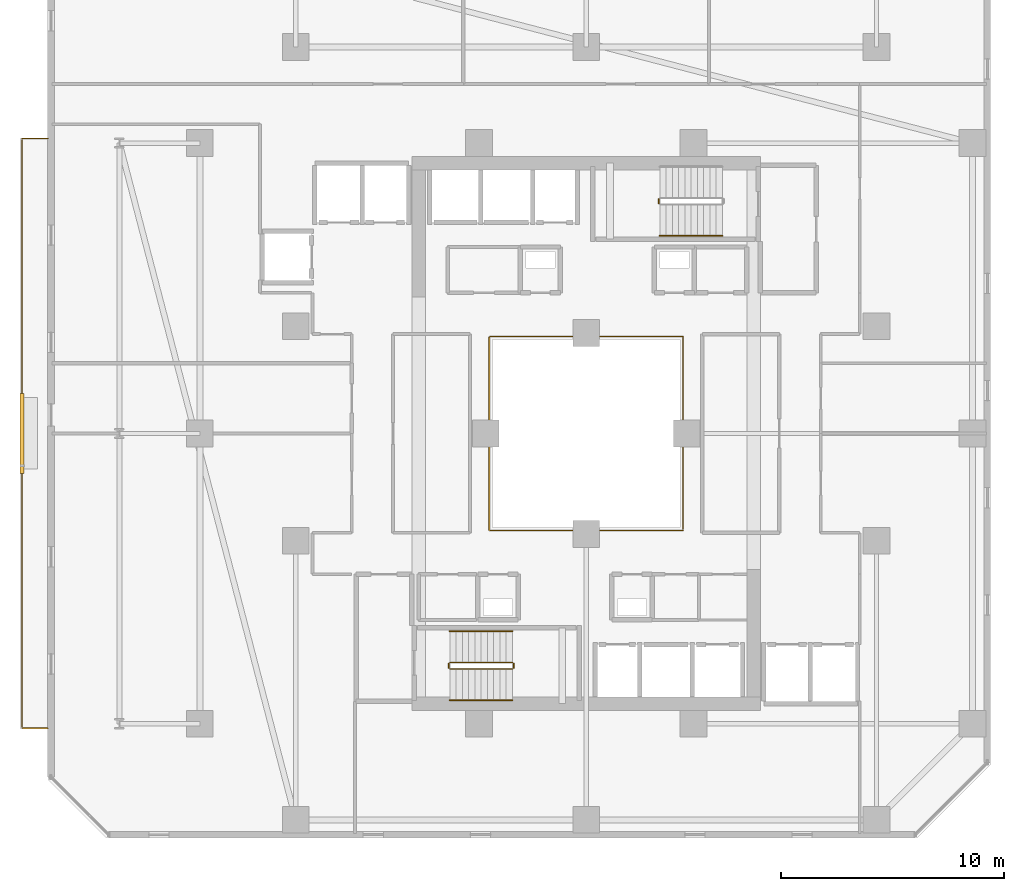
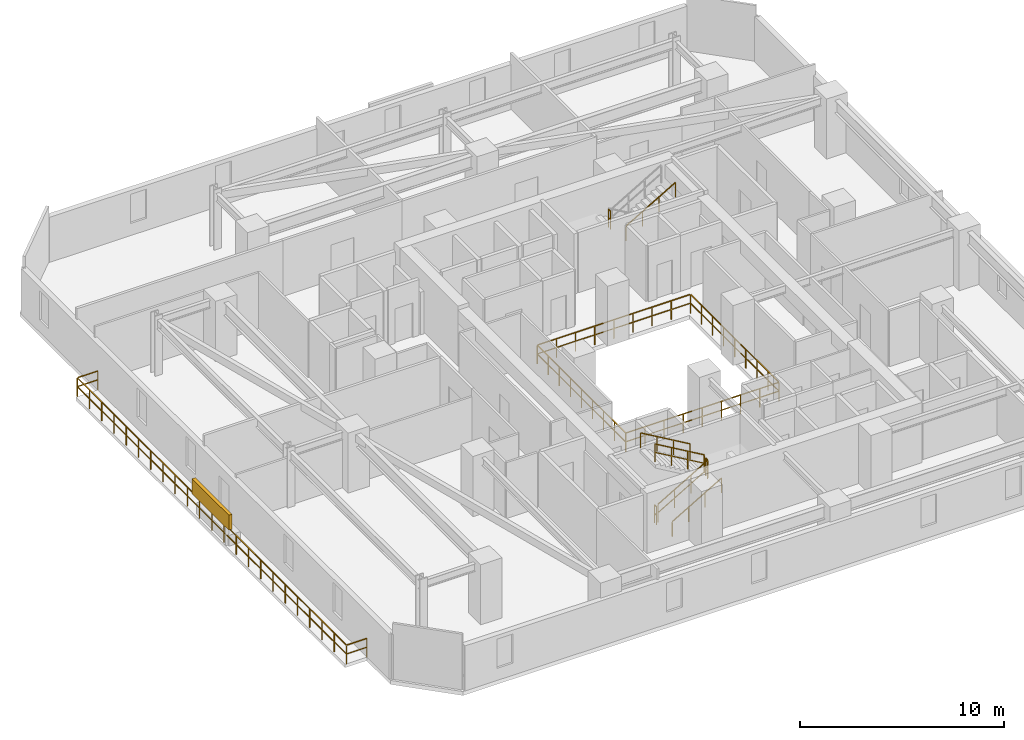
# One storey, part 30 of 33: 10 railings, 1 shading device.
"""IFC4 building model written with IfcOpenShell, lengths in metres."""

from ifc_helpers import new_model, si_unit, direction, frame, origin, origin_2d, place, context, subcontext, project, spatial, rectangle, extrude, material, type_object, element, save


model = new_model("IFC4")

# Units and contexts
model_context = context("Model", 3, precision=1e-05, world=origin(), true_north=direction((0.0, 1.0)))
body_context = subcontext(model_context, "Body", "Model", "MODEL_VIEW")
ifc_project = project(units=[si_unit("LENGTHUNIT", "METRE"), si_unit("AREAUNIT", "SQUARE_METRE"), si_unit("VOLUMEUNIT", "CUBIC_METRE"), si_unit("PLANEANGLEUNIT", "RADIAN"), si_unit("MASSUNIT", "GRAM", prefix="KILO")], contexts=[model_context])

# Site, building, storey
site_placement = place(None, origin())
site = spatial("IfcSite", under=ifc_project, at=site_placement, CompositionType="ELEMENT")
building_placement = place(site_placement, origin())
building = spatial("IfcBuilding", under=site, at=building_placement, Name="Thornwick Lancets Civic Towers", CompositionType="ELEMENT")
storey_placement = place(building_placement, frame((0.0, 0.0, 108.89990234375)))
storey = spatial("IfcBuildingStorey", under=building, at=storey_placement, Name="L28", CompositionType="ELEMENT", Elevation=108.89990234375)

# Railings
ifc_material_1 = material(Name="Laminated glass and bronze steel S355", Category="steel")
railing_type_1 = type_object("IfcRailingType", Name="RAIL_ATRIUM_GUARD", PredefinedType="BALUSTRADE", material=ifc_material_1)
railing_1_placement = place(storey_placement, frame((21.159912109375, 22.659912109375, 0.0)))
element("IfcRailing", 1, at=railing_1_placement, inside=storey, type_object=railing_type_1, Name="L28 Tower A Central Atrium Guard Balustrade", PredefinedType="BALUSTRADE", context=body_context, shape_type="SweptSolid", body=[
    extrude(rectangle(XDim=0.048095703125, YDim=0.048095703125, at=origin_2d()), frame((0.0, 0.0, 1.1259765625), z_axis=(1.0, 0.0, 0.0), x_axis=(0.0, 1.0, 0.0)), (0.0, 0.0, 1.0), 8.64892578125),
    extrude(rectangle(XDim=0.0419921875, YDim=0.0419921875, at=origin_2d()), frame((0.03759765625, 0.0, 0.597900390625), z_axis=(1.0, 0.0, 0.0), x_axis=(0.0, 1.0, 0.0)), (0.0, 0.0, 1.0), 1.010009765625),
    extrude(rectangle(XDim=0.0419921875, YDim=0.0419921875, at=origin_2d()), frame((1.12255859375, 0.0, 0.597900390625), z_axis=(1.0, 0.0, 0.0), x_axis=(0.0, 1.0, 0.0)), (0.0, 0.0, 1.0), 1.010009765625),
    extrude(rectangle(XDim=0.0419921875, YDim=0.0419921875, at=origin_2d()), frame((2.20751953125, 0.0, 0.597900390625), z_axis=(1.0, 0.0, 0.0), x_axis=(0.0, 1.0, 0.0)), (0.0, 0.0, 1.0), 1.010009765625),
    extrude(rectangle(XDim=0.0419921875, YDim=0.0419921875, at=origin_2d()), frame((3.29248046875, 0.0, 0.597900390625), z_axis=(1.0, 0.0, 0.0), x_axis=(0.0, 1.0, 0.0)), (0.0, 0.0, 1.0), 1.010009765625),
    extrude(rectangle(XDim=0.0419921875, YDim=0.0419921875, at=origin_2d()), frame((4.377685546875, 0.0, 0.597900390625), z_axis=(1.0, 0.0, 0.0), x_axis=(0.0, 1.0, 0.0)), (0.0, 0.0, 1.0), 1.010009765625),
    extrude(rectangle(XDim=0.0419921875, YDim=0.0419921875, at=origin_2d()), frame((5.462646484375, 0.0, 0.597900390625), z_axis=(1.0, 0.0, 0.0), x_axis=(0.0, 1.0, 0.0)), (0.0, 0.0, 1.0), 1.010009765625),
    extrude(rectangle(XDim=0.0419921875, YDim=0.0419921875, at=origin_2d()), frame((6.547607421875, 0.0, 0.597900390625), z_axis=(1.0, 0.0, 0.0), x_axis=(0.0, 1.0, 0.0)), (0.0, 0.0, 1.0), 1.010009765625),
    extrude(rectangle(XDim=0.0419921875, YDim=0.0419921875, at=origin_2d()), frame((7.632568359375, 0.0, 0.597900390625), z_axis=(1.0, 0.0, 0.0), x_axis=(0.0, 1.0, 0.0)), (0.0, 0.0, 1.0), 1.010009765625),
    extrude(rectangle(XDim=0.048095703125, YDim=0.048095703125, at=origin_2d()), frame((8.68017578125, 0.03125, 1.1259765625), z_axis=(0.0, 1.0, 0.0), x_axis=(-1.0, 0.0, 0.0)), (0.0, 0.0, 1.0), 8.61767578125),
    extrude(rectangle(XDim=0.0419921875, YDim=0.0419921875, at=origin_2d()), frame((8.68017578125, 0.03759765625, 0.597900390625), z_axis=(0.0, 1.0, 0.0), x_axis=(-1.0, 0.0, 0.0)), (0.0, 0.0, 1.0), 1.010009765625),
    extrude(rectangle(XDim=0.0419921875, YDim=0.0419921875, at=origin_2d()), frame((8.68017578125, 1.12255859375, 0.597900390625), z_axis=(0.0, 1.0, 0.0), x_axis=(-1.0, 0.0, 0.0)), (0.0, 0.0, 1.0), 1.010009765625),
    extrude(rectangle(XDim=0.0419921875, YDim=0.0419921875, at=origin_2d()), frame((8.68017578125, 2.20751953125, 0.597900390625), z_axis=(0.0, 1.0, 0.0), x_axis=(-1.0, 0.0, 0.0)), (0.0, 0.0, 1.0), 1.010009765625),
    extrude(rectangle(XDim=0.0419921875, YDim=0.0419921875, at=origin_2d()), frame((8.68017578125, 3.29248046875, 0.597900390625), z_axis=(0.0, 1.0, 0.0), x_axis=(-1.0, 0.0, 0.0)), (0.0, 0.0, 1.0), 1.010009765625),
    extrude(rectangle(XDim=0.0419921875, YDim=0.0419921875, at=origin_2d()), frame((8.68017578125, 4.377685546875, 0.597900390625), z_axis=(0.0, 1.0, 0.0), x_axis=(-1.0, 0.0, 0.0)), (0.0, 0.0, 1.0), 1.010009765625),
    extrude(rectangle(XDim=0.0419921875, YDim=0.0419921875, at=origin_2d()), frame((8.68017578125, 5.462646484375, 0.597900390625), z_axis=(0.0, 1.0, 0.0), x_axis=(-1.0, 0.0, 0.0)), (0.0, 0.0, 1.0), 1.010009765625),
    extrude(rectangle(XDim=0.0419921875, YDim=0.0419921875, at=origin_2d()), frame((8.68017578125, 6.547607421875, 0.597900390625), z_axis=(0.0, 1.0, 0.0), x_axis=(-1.0, 0.0, 0.0)), (0.0, 0.0, 1.0), 1.010009765625),
    extrude(rectangle(XDim=0.0419921875, YDim=0.0419921875, at=origin_2d()), frame((8.68017578125, 7.632568359375, 0.597900390625), z_axis=(0.0, 1.0, 0.0), x_axis=(-1.0, 0.0, 0.0)), (0.0, 0.0, 1.0), 1.010009765625),
    extrude(rectangle(XDim=0.048095703125, YDim=0.048095703125, at=origin_2d()), frame((8.64892578125, 8.68017578125, 1.1259765625), z_axis=(-1.0, 0.0, 0.0), x_axis=(0.0, -1.0, 0.0)), (0.0, 0.0, 1.0), 8.61767578125),
    extrude(rectangle(XDim=0.0419921875, YDim=0.0419921875, at=origin_2d()), frame((8.642578125, 8.68017578125, 0.597900390625), z_axis=(-1.0, 0.0, 0.0), x_axis=(0.0, -1.0, 0.0)), (0.0, 0.0, 1.0), 1.010009765625),
    extrude(rectangle(XDim=0.0419921875, YDim=0.0419921875, at=origin_2d()), frame((7.5576171875, 8.68017578125, 0.597900390625), z_axis=(-1.0, 0.0, 0.0), x_axis=(0.0, -1.0, 0.0)), (0.0, 0.0, 1.0), 1.010009765625),
    extrude(rectangle(XDim=0.0419921875, YDim=0.0419921875, at=origin_2d()), frame((6.47265625, 8.68017578125, 0.597900390625), z_axis=(-1.0, 0.0, 0.0), x_axis=(0.0, -1.0, 0.0)), (0.0, 0.0, 1.0), 1.010009765625),
    extrude(rectangle(XDim=0.0419921875, YDim=0.0419921875, at=origin_2d()), frame((5.3876953125, 8.68017578125, 0.597900390625), z_axis=(-1.0, 0.0, 0.0), x_axis=(0.0, -1.0, 0.0)), (0.0, 0.0, 1.0), 1.010009765625),
    extrude(rectangle(XDim=0.0419921875, YDim=0.0419921875, at=origin_2d()), frame((4.302490234375, 8.68017578125, 0.597900390625), z_axis=(-1.0, 0.0, 0.0), x_axis=(0.0, -1.0, 0.0)), (0.0, 0.0, 1.0), 1.010009765625),
    extrude(rectangle(XDim=0.0419921875, YDim=0.0419921875, at=origin_2d()), frame((3.217529296875, 8.68017578125, 0.597900390625), z_axis=(-1.0, 0.0, 0.0), x_axis=(0.0, -1.0, 0.0)), (0.0, 0.0, 1.0), 1.010009765625),
    extrude(rectangle(XDim=0.0419921875, YDim=0.0419921875, at=origin_2d()), frame((2.132568359375, 8.68017578125, 0.597900390625), z_axis=(-1.0, 0.0, 0.0), x_axis=(0.0, -1.0, 0.0)), (0.0, 0.0, 1.0), 1.010009765625),
    extrude(rectangle(XDim=0.0419921875, YDim=0.0419921875, at=origin_2d()), frame((1.047607421875, 8.68017578125, 0.597900390625), z_axis=(-1.0, 0.0, 0.0), x_axis=(0.0, -1.0, 0.0)), (0.0, 0.0, 1.0), 1.010009765625),
    extrude(rectangle(XDim=0.048095703125, YDim=0.048095703125, at=origin_2d()), frame((0.0, 8.64892578125, 1.1259765625), z_axis=(0.0, -1.0, 0.0), x_axis=(1.0, 0.0, 0.0)), (0.0, 0.0, 1.0), 8.64892578125),
    extrude(rectangle(XDim=0.0419921875, YDim=0.0419921875, at=origin_2d()), frame((0.0, 8.642578125, 0.597900390625), z_axis=(0.0, -1.0, 0.0), x_axis=(1.0, 0.0, 0.0)), (0.0, 0.0, 1.0), 1.010009765625),
    extrude(rectangle(XDim=0.0419921875, YDim=0.0419921875, at=origin_2d()), frame((0.0, 7.5576171875, 0.597900390625), z_axis=(0.0, -1.0, 0.0), x_axis=(1.0, 0.0, 0.0)), (0.0, 0.0, 1.0), 1.010009765625),
    extrude(rectangle(XDim=0.0419921875, YDim=0.0419921875, at=origin_2d()), frame((0.0, 6.47265625, 0.597900390625), z_axis=(0.0, -1.0, 0.0), x_axis=(1.0, 0.0, 0.0)), (0.0, 0.0, 1.0), 1.010009765625),
    extrude(rectangle(XDim=0.0419921875, YDim=0.0419921875, at=origin_2d()), frame((0.0, 5.3876953125, 0.597900390625), z_axis=(0.0, -1.0, 0.0), x_axis=(1.0, 0.0, 0.0)), (0.0, 0.0, 1.0), 1.010009765625),
    extrude(rectangle(XDim=0.0419921875, YDim=0.0419921875, at=origin_2d()), frame((0.0, 4.302490234375, 0.597900390625), z_axis=(0.0, -1.0, 0.0), x_axis=(1.0, 0.0, 0.0)), (0.0, 0.0, 1.0), 1.010009765625),
    extrude(rectangle(XDim=0.0419921875, YDim=0.0419921875, at=origin_2d()), frame((0.0, 3.217529296875, 0.597900390625), z_axis=(0.0, -1.0, 0.0), x_axis=(1.0, 0.0, 0.0)), (0.0, 0.0, 1.0), 1.010009765625),
    extrude(rectangle(XDim=0.0419921875, YDim=0.0419921875, at=origin_2d()), frame((0.0, 2.132568359375, 0.597900390625), z_axis=(0.0, -1.0, 0.0), x_axis=(1.0, 0.0, 0.0)), (0.0, 0.0, 1.0), 1.010009765625),
    extrude(rectangle(XDim=0.0419921875, YDim=0.0419921875, at=origin_2d()), frame((0.0, 1.047607421875, 0.597900390625), z_axis=(0.0, -1.0, 0.0), x_axis=(1.0, 0.0, 0.0)), (0.0, 0.0, 1.0), 1.010009765625),
    extrude(rectangle(XDim=0.0419921875, YDim=0.0419921875, at=origin_2d()), origin(), (0.0, 0.0, 1.0), 1.095703125),
    extrude(rectangle(XDim=0.0419921875, YDim=0.0419921875, at=origin_2d()), frame((1.0849609375, 0.0, 0.0)), (0.0, 0.0, 1.0), 1.095703125),
    extrude(rectangle(XDim=0.0419921875, YDim=0.0419921875, at=origin_2d()), frame((2.169921875, 0.0, 0.0)), (0.0, 0.0, 1.0), 1.095703125),
    extrude(rectangle(XDim=0.0419921875, YDim=0.0419921875, at=origin_2d()), frame((3.255126953125, 0.0, 0.0)), (0.0, 0.0, 1.0), 1.095703125),
    extrude(rectangle(XDim=0.0419921875, YDim=0.0419921875, at=origin_2d()), frame((4.340087890625, 0.0, 0.0)), (0.0, 0.0, 1.0), 1.095703125),
    extrude(rectangle(XDim=0.0419921875, YDim=0.0419921875, at=origin_2d()), frame((5.425048828125, 0.0, 0.0)), (0.0, 0.0, 1.0), 1.095703125),
    extrude(rectangle(XDim=0.0419921875, YDim=0.0419921875, at=origin_2d()), frame((6.51025390625, 0.0, 0.0)), (0.0, 0.0, 1.0), 1.095703125),
    extrude(rectangle(XDim=0.0419921875, YDim=0.0419921875, at=origin_2d()), frame((7.59521484375, 0.0, 0.0)), (0.0, 0.0, 1.0), 1.095703125),
    extrude(rectangle(XDim=0.0419921875, YDim=0.0419921875, at=origin_2d()), frame((8.68017578125, 0.0, 0.0)), (0.0, 0.0, 1.0), 1.095703125),
    extrude(rectangle(XDim=0.0419921875, YDim=0.0419921875, at=origin_2d()), frame((8.68017578125, 1.0849609375, 0.0)), (0.0, 0.0, 1.0), 1.095703125),
    extrude(rectangle(XDim=0.0419921875, YDim=0.0419921875, at=origin_2d()), frame((8.68017578125, 2.169921875, 0.0)), (0.0, 0.0, 1.0), 1.095703125),
    extrude(rectangle(XDim=0.0419921875, YDim=0.0419921875, at=origin_2d()), frame((8.68017578125, 3.255126953125, 0.0)), (0.0, 0.0, 1.0), 1.095703125),
    extrude(rectangle(XDim=0.0419921875, YDim=0.0419921875, at=origin_2d()), frame((8.68017578125, 4.340087890625, 0.0)), (0.0, 0.0, 1.0), 1.095703125),
    extrude(rectangle(XDim=0.0419921875, YDim=0.0419921875, at=origin_2d()), frame((8.68017578125, 5.425048828125, 0.0)), (0.0, 0.0, 1.0), 1.095703125),
    extrude(rectangle(XDim=0.0419921875, YDim=0.0419921875, at=origin_2d()), frame((8.68017578125, 6.51025390625, 0.0)), (0.0, 0.0, 1.0), 1.095703125),
    extrude(rectangle(XDim=0.0419921875, YDim=0.0419921875, at=origin_2d()), frame((8.68017578125, 7.59521484375, 0.0)), (0.0, 0.0, 1.0), 1.095703125),
    extrude(rectangle(XDim=0.0419921875, YDim=0.0419921875, at=origin_2d()), frame((8.68017578125, 8.68017578125, 0.0)), (0.0, 0.0, 1.0), 1.095703125),
    extrude(rectangle(XDim=0.0419921875, YDim=0.0419921875, at=origin_2d()), frame((7.59521484375, 8.68017578125, 0.0)), (0.0, 0.0, 1.0), 1.095703125),
    extrude(rectangle(XDim=0.0419921875, YDim=0.0419921875, at=origin_2d()), frame((6.51025390625, 8.68017578125, 0.0)), (0.0, 0.0, 1.0), 1.095703125),
    extrude(rectangle(XDim=0.0419921875, YDim=0.0419921875, at=origin_2d()), frame((5.425048828125, 8.68017578125, 0.0)), (0.0, 0.0, 1.0), 1.095703125),
    extrude(rectangle(XDim=0.0419921875, YDim=0.0419921875, at=origin_2d()), frame((4.340087890625, 8.68017578125, 0.0)), (0.0, 0.0, 1.0), 1.095703125),
    extrude(rectangle(XDim=0.0419921875, YDim=0.0419921875, at=origin_2d()), frame((3.255126953125, 8.68017578125, 0.0)), (0.0, 0.0, 1.0), 1.095703125),
    extrude(rectangle(XDim=0.0419921875, YDim=0.0419921875, at=origin_2d()), frame((2.169921875, 8.68017578125, 0.0)), (0.0, 0.0, 1.0), 1.095703125),
    extrude(rectangle(XDim=0.0419921875, YDim=0.0419921875, at=origin_2d()), frame((1.0849609375, 8.68017578125, 0.0)), (0.0, 0.0, 1.0), 1.095703125),
    extrude(rectangle(XDim=0.0419921875, YDim=0.0419921875, at=origin_2d()), frame((0.0, 8.68017578125, 0.0)), (0.0, 0.0, 1.0), 1.095703125),
    extrude(rectangle(XDim=0.0419921875, YDim=0.0419921875, at=origin_2d()), frame((0.0, 7.59521484375, 0.0)), (0.0, 0.0, 1.0), 1.095703125),
    extrude(rectangle(XDim=0.0419921875, YDim=0.0419921875, at=origin_2d()), frame((0.0, 6.51025390625, 0.0)), (0.0, 0.0, 1.0), 1.095703125),
    extrude(rectangle(XDim=0.0419921875, YDim=0.0419921875, at=origin_2d()), frame((0.0, 5.425048828125, 0.0)), (0.0, 0.0, 1.0), 1.095703125),
    extrude(rectangle(XDim=0.0419921875, YDim=0.0419921875, at=origin_2d()), frame((0.0, 4.340087890625, 0.0)), (0.0, 0.0, 1.0), 1.095703125),
    extrude(rectangle(XDim=0.0419921875, YDim=0.0419921875, at=origin_2d()), frame((0.0, 3.255126953125, 0.0)), (0.0, 0.0, 1.0), 1.095703125),
    extrude(rectangle(XDim=0.0419921875, YDim=0.0419921875, at=origin_2d()), frame((0.0, 2.169921875, 0.0)), (0.0, 0.0, 1.0), 1.095703125),
    extrude(rectangle(XDim=0.0419921875, YDim=0.0419921875, at=origin_2d()), frame((0.0, 1.0849609375, 0.0)), (0.0, 0.0, 1.0), 1.095703125),
])
ifc_material_2 = material(Name="Brushed stainless steel S355", Category="steel")
railing_type_2 = type_object("IfcRailingType", Name="RAIL_HANDRAIL", PredefinedType="HANDRAIL", material=ifc_material_2)
railing_2_placement = place(storey_placement, frame((19.39990234375, 15.050048828125, 0.163818359375)))
element("IfcRailing", 2, at=railing_2_placement, inside=storey, type_object=railing_type_2, Name="L28 ST-A1 stair handrail 1", PredefinedType="HANDRAIL", context=body_context, shape_type="SweptSolid", body=[
    extrude(rectangle(XDim=0.048095703125, YDim=0.048095703125, at=origin_2d()), frame((0.0, 0.0, 0.8857421875), z_axis=(0.863393664356, 0.0, 0.504530851732), x_axis=(0.0, 1.0, 0.0)), (0.0, 0.0, 1.0), 3.2431640625),
    extrude(rectangle(XDim=0.0419921875, YDim=0.0419921875, at=origin_2d()), origin(), (0.0, 0.0, 1.0), 0.855712890625),
    extrude(rectangle(XDim=0.0419921875, YDim=0.0419921875, at=origin_2d()), frame((0.933349609375, 0.0, 0.54541015625)), (0.0, 0.0, 1.0), 0.855712890625),
    extrude(rectangle(XDim=0.0419921875, YDim=0.0419921875, at=origin_2d()), frame((1.86669921875, 0.0, 1.0908203125)), (0.0, 0.0, 1.0), 0.855712890625),
    extrude(rectangle(XDim=0.0419921875, YDim=0.0419921875, at=origin_2d()), frame((2.800048828125, 0.0, 1.63623046875)), (0.0, 0.0, 1.0), 0.855712890625),
])
railing_3_placement = place(storey_placement, frame((22.199951171875, 18.14990234375, 1.963623046875)))
element("IfcRailing", 3, at=railing_3_placement, inside=storey, type_object=railing_type_2, Name="L28 ST-A1 stair handrail 2", PredefinedType="HANDRAIL", context=body_context, shape_type="SweptSolid", body=[
    extrude(rectangle(XDim=0.048095703125, YDim=0.048095703125, at=origin_2d()), frame((0.0, 0.0, 0.8857421875), z_axis=(-0.863360870873, 0.0, 0.504586966384), x_axis=(0.0, -1.0, 0.0)), (0.0, 0.0, 1.0), 3.2431640625),
    extrude(rectangle(XDim=0.0419921875, YDim=0.0419921875, at=origin_2d()), origin(), (0.0, 0.0, 1.0), 0.855712890625),
    extrude(rectangle(XDim=0.0419921875, YDim=0.0419921875, at=origin_2d()), frame((-0.933349609375, 0.0, 0.54541015625)), (0.0, 0.0, 1.0), 0.855712890625),
    extrude(rectangle(XDim=0.0419921875, YDim=0.0419921875, at=origin_2d()), frame((-1.86669921875, 0.0, 1.091064453125)), (0.0, 0.0, 1.0), 0.855712890625),
    extrude(rectangle(XDim=0.0419921875, YDim=0.0419921875, at=origin_2d()), frame((-2.800048828125, 0.0, 1.636474609375)), (0.0, 0.0, 1.0), 0.855712890625),
])
railing_4_placement = place(storey_placement, frame((28.800048828125, 35.85009765625, 1.963623046875)))
element("IfcRailing", 4, at=railing_4_placement, inside=storey, type_object=railing_type_2, Name="L28 ST-A2 stair handrail 2", PredefinedType="HANDRAIL", context=body_context, shape_type="SweptSolid", body=[
    extrude(rectangle(XDim=0.048095703125, YDim=0.048095703125, at=origin_2d()), frame((0.0, 0.0, 0.8857421875), z_axis=(0.863360870873, 0.0, 0.504586966384), x_axis=(0.0, 1.0, 0.0)), (0.0, 0.0, 1.0), 3.2431640625),
    extrude(rectangle(XDim=0.0419921875, YDim=0.0419921875, at=origin_2d()), origin(), (0.0, 0.0, 1.0), 0.855712890625),
    extrude(rectangle(XDim=0.0419921875, YDim=0.0419921875, at=origin_2d()), frame((0.933349609375, 0.0, 0.54541015625)), (0.0, 0.0, 1.0), 0.855712890625),
    extrude(rectangle(XDim=0.0419921875, YDim=0.0419921875, at=origin_2d()), frame((1.86669921875, 0.0, 1.091064453125)), (0.0, 0.0, 1.0), 0.855712890625),
    extrude(rectangle(XDim=0.0419921875, YDim=0.0419921875, at=origin_2d()), frame((2.800048828125, 0.0, 1.636474609375)), (0.0, 0.0, 1.0), 0.855712890625),
])
ifc_material_3 = material(Name="Steel S355JR", Category="steel")
railing_type_3 = type_object("IfcRailingType", Name="RAIL_STAIR_GUARD", PredefinedType="GUARDRAIL", material=ifc_material_3)
railing_5_placement = place(storey_placement, frame((19.39990234375, 16.449951171875, 0.163818359375)))
element("IfcRailing", 5, at=railing_5_placement, inside=storey, type_object=railing_type_3, Name="L28 ST-A1 stair guard 1", PredefinedType="GUARDRAIL", context=body_context, shape_type="SweptSolid", body=[
    extrude(rectangle(XDim=0.048095703125, YDim=0.048095703125, at=origin_2d()), frame((0.0, 0.0, 1.076171875), z_axis=(0.863393664356, 0.0, 0.504530851732), x_axis=(0.0, 1.0, 0.0)), (0.0, 0.0, 1.0), 3.2431640625),
    extrude(rectangle(XDim=0.0419921875, YDim=0.0419921875, at=origin_2d()), frame((0.032470703125, 0.0, 0.591064453125), z_axis=(0.863393664356, 0.0, 0.504530851732), x_axis=(0.0, 1.0, 0.0)), (0.0, 0.0, 1.0), 1.006103515625),
    extrude(rectangle(XDim=0.0419921875, YDim=0.0419921875, at=origin_2d()), frame((0.9658203125, 0.0, 1.136474609375), z_axis=(0.863393664356, 0.0, 0.504530851732), x_axis=(0.0, 1.0, 0.0)), (0.0, 0.0, 1.0), 1.006103515625),
    extrude(rectangle(XDim=0.0419921875, YDim=0.0419921875, at=origin_2d()), frame((1.899169921875, 0.0, 1.681884765625), z_axis=(0.863393664356, 0.0, 0.504530851732), x_axis=(0.0, 1.0, 0.0)), (0.0, 0.0, 1.0), 1.006103515625),
    extrude(rectangle(XDim=0.0419921875, YDim=0.0419921875, at=origin_2d()), origin(), (0.0, 0.0, 1.0), 1.0458984375),
    extrude(rectangle(XDim=0.0419921875, YDim=0.0419921875, at=origin_2d()), frame((0.933349609375, 0.0, 0.54541015625)), (0.0, 0.0, 1.0), 1.0458984375),
    extrude(rectangle(XDim=0.0419921875, YDim=0.0419921875, at=origin_2d()), frame((1.86669921875, 0.0, 1.0908203125)), (0.0, 0.0, 1.0), 1.0458984375),
    extrude(rectangle(XDim=0.0419921875, YDim=0.0419921875, at=origin_2d()), frame((2.800048828125, 0.0, 1.63623046875)), (0.0, 0.0, 1.0), 1.0458984375),
])
railing_6_placement = place(storey_placement, frame((22.25, 16.5, 1.800048828125)))
element("IfcRailing", 6, at=railing_6_placement, inside=storey, type_object=railing_type_3, Name="L28 ST-A1 stair guard 2", PredefinedType="GUARDRAIL", context=body_context, shape_type="SweptSolid", body=[
    extrude(rectangle(XDim=0.048095703125, YDim=0.048095703125, at=origin_2d()), frame((0.0, 0.0, 1.076171875), z_axis=(0.0, 1.0, 0.0), x_axis=(-1.0, 0.0, 0.0)), (0.0, 0.0, 1.0), 0.199951171875),
    extrude(rectangle(XDim=0.0419921875, YDim=0.0419921875, at=origin_2d()), frame((0.0, 0.03759765625, 0.572021484375), z_axis=(0.0, 1.0, 0.0), x_axis=(-1.0, 0.0, 0.0)), (0.0, 0.0, 1.0), 0.125),
    extrude(rectangle(XDim=0.0419921875, YDim=0.0419921875, at=origin_2d()), origin(), (0.0, 0.0, 1.0), 1.0458984375),
    extrude(rectangle(XDim=0.0419921875, YDim=0.0419921875, at=origin_2d()), frame((0.0, 0.199951171875, 0.0)), (0.0, 0.0, 1.0), 1.0458984375),
])
railing_7_placement = place(storey_placement, frame((22.199951171875, 16.75, 1.963623046875)))
element("IfcRailing", 7, at=railing_7_placement, inside=storey, type_object=railing_type_3, Name="L28 ST-A1 stair guard 3", PredefinedType="GUARDRAIL", context=body_context, shape_type="SweptSolid", body=[
    extrude(rectangle(XDim=0.048095703125, YDim=0.048095703125, at=origin_2d()), frame((0.0, 0.0, 1.076171875), z_axis=(-0.863360870873, 0.0, 0.504586966384), x_axis=(0.0, -1.0, 0.0)), (0.0, 0.0, 1.0), 3.2431640625),
    extrude(rectangle(XDim=0.0419921875, YDim=0.0419921875, at=origin_2d()), frame((-0.032470703125, 0.0, 0.591064453125), z_axis=(-0.863360870873, 0.0, 0.504586966384), x_axis=(0.0, -1.0, 0.0)), (0.0, 0.0, 1.0), 1.006103515625),
    extrude(rectangle(XDim=0.0419921875, YDim=0.0419921875, at=origin_2d()), frame((-0.9658203125, 0.0, 1.136474609375), z_axis=(-0.863360870873, 0.0, 0.504586966384), x_axis=(0.0, -1.0, 0.0)), (0.0, 0.0, 1.0), 1.006103515625),
    extrude(rectangle(XDim=0.0419921875, YDim=0.0419921875, at=origin_2d()), frame((-1.899169921875, 0.0, 1.681884765625), z_axis=(-0.863360870873, 0.0, 0.504586966384), x_axis=(0.0, -1.0, 0.0)), (0.0, 0.0, 1.0), 1.006103515625),
    extrude(rectangle(XDim=0.0419921875, YDim=0.0419921875, at=origin_2d()), origin(), (0.0, 0.0, 1.0), 1.0458984375),
    extrude(rectangle(XDim=0.0419921875, YDim=0.0419921875, at=origin_2d()), frame((-0.933349609375, 0.0, 0.54541015625)), (0.0, 0.0, 1.0), 1.0458984375),
    extrude(rectangle(XDim=0.0419921875, YDim=0.0419921875, at=origin_2d()), frame((-1.86669921875, 0.0, 1.091064453125)), (0.0, 0.0, 1.0), 1.0458984375),
    extrude(rectangle(XDim=0.0419921875, YDim=0.0419921875, at=origin_2d()), frame((-2.800048828125, 0.0, 1.636474609375)), (0.0, 0.0, 1.0), 1.0458984375),
])
railing_8_placement = place(storey_placement, frame((19.35009765625, 16.5, 0.0)))
element("IfcRailing", 8, at=railing_8_placement, inside=storey, type_object=railing_type_3, Name="L28 ST-A1 stair guard 4", PredefinedType="GUARDRAIL", context=body_context, shape_type="SweptSolid", body=[
    extrude(rectangle(XDim=0.048095703125, YDim=0.048095703125, at=origin_2d()), frame((0.0, 0.0, 1.076171875), z_axis=(0.0, 1.0, 0.0), x_axis=(-1.0, 0.0, 0.0)), (0.0, 0.0, 1.0), 0.199951171875),
    extrude(rectangle(XDim=0.0419921875, YDim=0.0419921875, at=origin_2d()), frame((0.0, 0.03759765625, 0.572021484375), z_axis=(0.0, 1.0, 0.0), x_axis=(-1.0, 0.0, 0.0)), (0.0, 0.0, 1.0), 0.125),
    extrude(rectangle(XDim=0.0419921875, YDim=0.0419921875, at=origin_2d()), origin(), (0.0, 0.0, 1.0), 1.0458984375),
    extrude(rectangle(XDim=0.0419921875, YDim=0.0419921875, at=origin_2d()), frame((0.0, 0.199951171875, 0.0)), (0.0, 0.0, 1.0), 1.0458984375),
])
railing_9_placement = place(storey_placement, frame((28.75, 37.5, 1.800048828125)))
element("IfcRailing", 9, at=railing_9_placement, inside=storey, type_object=railing_type_3, Name="L28 ST-A2 stair guard 2", PredefinedType="GUARDRAIL", context=body_context, shape_type="SweptSolid", body=[
    extrude(rectangle(XDim=0.048095703125, YDim=0.048095703125, at=origin_2d()), frame((0.0, 0.0, 1.076171875), z_axis=(0.0, -1.0, 0.0), x_axis=(1.0, 0.0, 0.0)), (0.0, 0.0, 1.0), 0.199951171875),
    extrude(rectangle(XDim=0.0419921875, YDim=0.0419921875, at=origin_2d()), frame((0.0, -0.03759765625, 0.572021484375), z_axis=(0.0, -1.0, 0.0), x_axis=(1.0, 0.0, 0.0)), (0.0, 0.0, 1.0), 0.125),
    extrude(rectangle(XDim=0.0419921875, YDim=0.0419921875, at=origin_2d()), origin(), (0.0, 0.0, 1.0), 1.0458984375),
    extrude(rectangle(XDim=0.0419921875, YDim=0.0419921875, at=origin_2d()), frame((0.0, -0.199951171875, 0.0)), (0.0, 0.0, 1.0), 1.0458984375),
])
ifc_material_4 = material(Name="Terracotta-capped laminated glass balustrade S355", Category="masonry")
railing_type_4 = type_object("IfcRailingType", Name="RAIL_TERR_GUARD", PredefinedType="GUARDRAIL", material=ifc_material_4)
railing_10_placement = place(storey_placement, frame((1.39990234375, 13.800048828125, 0.0)))
element("IfcRailing", 10, at=railing_10_placement, inside=storey, type_object=railing_type_4, Name="L28 Tower A Balcony Guard W", PredefinedType="GUARDRAIL", context=body_context, shape_type="SweptSolid", body=[
    extrude(rectangle(XDim=0.048095703125, YDim=0.048095703125, at=origin_2d()), frame((0.0, 0.0, 1.1259765625), z_axis=(-1.0, 0.0, 0.0), x_axis=(0.0, -1.0, 0.0)), (0.0, 0.0, 1.0), 1.138671875),
    extrude(rectangle(XDim=0.0419921875, YDim=0.0419921875, at=origin_2d()), frame((-0.03759765625, 0.0, 0.597900390625), z_axis=(-1.0, 0.0, 0.0), x_axis=(0.0, -1.0, 0.0)), (0.0, 0.0, 1.0), 1.094970703125),
    extrude(rectangle(XDim=0.048095703125, YDim=0.048095703125, at=origin_2d()), frame((-1.169921875, 0.03125, 1.1259765625), z_axis=(0.0, 1.0, 0.0), x_axis=(-1.0, 0.0, 0.0)), (0.0, 0.0, 1.0), 26.33740234375),
    extrude(rectangle(XDim=0.0419921875, YDim=0.0419921875, at=origin_2d()), frame((-1.169921875, 0.03759765625, 0.597900390625), z_axis=(0.0, 1.0, 0.0), x_axis=(-1.0, 0.0, 0.0)), (0.0, 0.0, 1.0), 1.125),
    extrude(rectangle(XDim=0.0419921875, YDim=0.0419921875, at=origin_2d()), frame((-1.169921875, 1.237548828125, 0.597900390625), z_axis=(0.0, 1.0, 0.0), x_axis=(-1.0, 0.0, 0.0)), (0.0, 0.0, 1.0), 1.125),
    extrude(rectangle(XDim=0.0419921875, YDim=0.0419921875, at=origin_2d()), frame((-1.169921875, 2.4375, 0.597900390625), z_axis=(0.0, 1.0, 0.0), x_axis=(-1.0, 0.0, 0.0)), (0.0, 0.0, 1.0), 1.125),
    extrude(rectangle(XDim=0.0419921875, YDim=0.0419921875, at=origin_2d()), frame((-1.169921875, 3.637451171875, 0.597900390625), z_axis=(0.0, 1.0, 0.0), x_axis=(-1.0, 0.0, 0.0)), (0.0, 0.0, 1.0), 1.125),
    extrude(rectangle(XDim=0.0419921875, YDim=0.0419921875, at=origin_2d()), frame((-1.169921875, 4.83740234375, 0.597900390625), z_axis=(0.0, 1.0, 0.0), x_axis=(-1.0, 0.0, 0.0)), (0.0, 0.0, 1.0), 1.125),
    extrude(rectangle(XDim=0.0419921875, YDim=0.0419921875, at=origin_2d()), frame((-1.169921875, 6.037353515625, 0.597900390625), z_axis=(0.0, 1.0, 0.0), x_axis=(-1.0, 0.0, 0.0)), (0.0, 0.0, 1.0), 1.125),
    extrude(rectangle(XDim=0.0419921875, YDim=0.0419921875, at=origin_2d()), frame((-1.169921875, 7.237548828125, 0.597900390625), z_axis=(0.0, 1.0, 0.0), x_axis=(-1.0, 0.0, 0.0)), (0.0, 0.0, 1.0), 1.125),
    extrude(rectangle(XDim=0.0419921875, YDim=0.0419921875, at=origin_2d()), frame((-1.169921875, 8.4375, 0.597900390625), z_axis=(0.0, 1.0, 0.0), x_axis=(-1.0, 0.0, 0.0)), (0.0, 0.0, 1.0), 1.125),
    extrude(rectangle(XDim=0.0419921875, YDim=0.0419921875, at=origin_2d()), frame((-1.169921875, 9.637451171875, 0.597900390625), z_axis=(0.0, 1.0, 0.0), x_axis=(-1.0, 0.0, 0.0)), (0.0, 0.0, 1.0), 1.125),
    extrude(rectangle(XDim=0.0419921875, YDim=0.0419921875, at=origin_2d()), frame((-1.169921875, 10.83740234375, 0.597900390625), z_axis=(0.0, 1.0, 0.0), x_axis=(-1.0, 0.0, 0.0)), (0.0, 0.0, 1.0), 1.125),
    extrude(rectangle(XDim=0.0419921875, YDim=0.0419921875, at=origin_2d()), frame((-1.169921875, 12.037353515625, 0.597900390625), z_axis=(0.0, 1.0, 0.0), x_axis=(-1.0, 0.0, 0.0)), (0.0, 0.0, 1.0), 1.125),
    extrude(rectangle(XDim=0.0419921875, YDim=0.0419921875, at=origin_2d()), frame((-1.169921875, 13.237548828125, 0.597900390625), z_axis=(0.0, 1.0, 0.0), x_axis=(-1.0, 0.0, 0.0)), (0.0, 0.0, 1.0), 1.125),
    extrude(rectangle(XDim=0.0419921875, YDim=0.0419921875, at=origin_2d()), frame((-1.169921875, 14.4375, 0.597900390625), z_axis=(0.0, 1.0, 0.0), x_axis=(-1.0, 0.0, 0.0)), (0.0, 0.0, 1.0), 1.125),
    extrude(rectangle(XDim=0.0419921875, YDim=0.0419921875, at=origin_2d()), frame((-1.169921875, 15.637451171875, 0.597900390625), z_axis=(0.0, 1.0, 0.0), x_axis=(-1.0, 0.0, 0.0)), (0.0, 0.0, 1.0), 1.125),
    extrude(rectangle(XDim=0.0419921875, YDim=0.0419921875, at=origin_2d()), frame((-1.169921875, 16.83740234375, 0.597900390625), z_axis=(0.0, 1.0, 0.0), x_axis=(-1.0, 0.0, 0.0)), (0.0, 0.0, 1.0), 1.125),
    extrude(rectangle(XDim=0.0419921875, YDim=0.0419921875, at=origin_2d()), frame((-1.169921875, 18.037353515625, 0.597900390625), z_axis=(0.0, 1.0, 0.0), x_axis=(-1.0, 0.0, 0.0)), (0.0, 0.0, 1.0), 1.125),
    extrude(rectangle(XDim=0.0419921875, YDim=0.0419921875, at=origin_2d()), frame((-1.169921875, 19.2373046875, 0.597900390625), z_axis=(0.0, 1.0, 0.0), x_axis=(-1.0, 0.0, 0.0)), (0.0, 0.0, 1.0), 1.125),
    extrude(rectangle(XDim=0.0419921875, YDim=0.0419921875, at=origin_2d()), frame((-1.169921875, 20.4375, 0.597900390625), z_axis=(0.0, 1.0, 0.0), x_axis=(-1.0, 0.0, 0.0)), (0.0, 0.0, 1.0), 1.125),
    extrude(rectangle(XDim=0.0419921875, YDim=0.0419921875, at=origin_2d()), frame((-1.169921875, 21.637451171875, 0.597900390625), z_axis=(0.0, 1.0, 0.0), x_axis=(-1.0, 0.0, 0.0)), (0.0, 0.0, 1.0), 1.125),
    extrude(rectangle(XDim=0.0419921875, YDim=0.0419921875, at=origin_2d()), frame((-1.169921875, 22.83740234375, 0.597900390625), z_axis=(0.0, 1.0, 0.0), x_axis=(-1.0, 0.0, 0.0)), (0.0, 0.0, 1.0), 1.125),
    extrude(rectangle(XDim=0.0419921875, YDim=0.0419921875, at=origin_2d()), frame((-1.169921875, 24.037353515625, 0.597900390625), z_axis=(0.0, 1.0, 0.0), x_axis=(-1.0, 0.0, 0.0)), (0.0, 0.0, 1.0), 1.125),
    extrude(rectangle(XDim=0.0419921875, YDim=0.0419921875, at=origin_2d()), frame((-1.169921875, 25.2373046875, 0.597900390625), z_axis=(0.0, 1.0, 0.0), x_axis=(-1.0, 0.0, 0.0)), (0.0, 0.0, 1.0), 1.125),
    extrude(rectangle(XDim=0.048095703125, YDim=0.048095703125, at=origin_2d()), frame((-1.138671875, 26.39990234375, 1.1259765625), z_axis=(1.0, 0.0, 0.0), x_axis=(0.0, 1.0, 0.0)), (0.0, 0.0, 1.0), 1.138671875),
    extrude(rectangle(XDim=0.0419921875, YDim=0.0419921875, at=origin_2d()), frame((-1.13232421875, 26.39990234375, 0.597900390625), z_axis=(1.0, 0.0, 0.0), x_axis=(0.0, 1.0, 0.0)), (0.0, 0.0, 1.0), 1.094970703125),
    extrude(rectangle(XDim=0.0419921875, YDim=0.0419921875, at=origin_2d()), origin(), (0.0, 0.0, 1.0), 1.095703125),
    extrude(rectangle(XDim=0.0419921875, YDim=0.0419921875, at=origin_2d()), frame((-1.169921875, 0.0, 0.0)), (0.0, 0.0, 1.0), 1.095703125),
    extrude(rectangle(XDim=0.0419921875, YDim=0.0419921875, at=origin_2d()), frame((-1.169921875, 1.199951171875, 0.0)), (0.0, 0.0, 1.0), 1.095703125),
    extrude(rectangle(XDim=0.0419921875, YDim=0.0419921875, at=origin_2d()), frame((-1.169921875, 2.39990234375, 0.0)), (0.0, 0.0, 1.0), 1.095703125),
    extrude(rectangle(XDim=0.0419921875, YDim=0.0419921875, at=origin_2d()), frame((-1.169921875, 3.60009765625, 0.0)), (0.0, 0.0, 1.0), 1.095703125),
    extrude(rectangle(XDim=0.0419921875, YDim=0.0419921875, at=origin_2d()), frame((-1.169921875, 4.800048828125, 0.0)), (0.0, 0.0, 1.0), 1.095703125),
    extrude(rectangle(XDim=0.0419921875, YDim=0.0419921875, at=origin_2d()), frame((-1.169921875, 6.0, 0.0)), (0.0, 0.0, 1.0), 1.095703125),
    extrude(rectangle(XDim=0.0419921875, YDim=0.0419921875, at=origin_2d()), frame((-1.169921875, 7.199951171875, 0.0)), (0.0, 0.0, 1.0), 1.095703125),
    extrude(rectangle(XDim=0.0419921875, YDim=0.0419921875, at=origin_2d()), frame((-1.169921875, 8.39990234375, 0.0)), (0.0, 0.0, 1.0), 1.095703125),
    extrude(rectangle(XDim=0.0419921875, YDim=0.0419921875, at=origin_2d()), frame((-1.169921875, 9.599853515625, 0.0)), (0.0, 0.0, 1.0), 1.095703125),
    extrude(rectangle(XDim=0.0419921875, YDim=0.0419921875, at=origin_2d()), frame((-1.169921875, 10.800048828125, 0.0)), (0.0, 0.0, 1.0), 1.095703125),
    extrude(rectangle(XDim=0.0419921875, YDim=0.0419921875, at=origin_2d()), frame((-1.169921875, 12.0, 0.0)), (0.0, 0.0, 1.0), 1.095703125),
    extrude(rectangle(XDim=0.0419921875, YDim=0.0419921875, at=origin_2d()), frame((-1.169921875, 13.199951171875, 0.0)), (0.0, 0.0, 1.0), 1.095703125),
    extrude(rectangle(XDim=0.0419921875, YDim=0.0419921875, at=origin_2d()), frame((-1.169921875, 14.39990234375, 0.0)), (0.0, 0.0, 1.0), 1.095703125),
    extrude(rectangle(XDim=0.0419921875, YDim=0.0419921875, at=origin_2d()), frame((-1.169921875, 15.599853515625, 0.0)), (0.0, 0.0, 1.0), 1.095703125),
    extrude(rectangle(XDim=0.0419921875, YDim=0.0419921875, at=origin_2d()), frame((-1.169921875, 16.800048828125, 0.0)), (0.0, 0.0, 1.0), 1.095703125),
    extrude(rectangle(XDim=0.0419921875, YDim=0.0419921875, at=origin_2d()), frame((-1.169921875, 18.0, 0.0)), (0.0, 0.0, 1.0), 1.095703125),
    extrude(rectangle(XDim=0.0419921875, YDim=0.0419921875, at=origin_2d()), frame((-1.169921875, 19.199951171875, 0.0)), (0.0, 0.0, 1.0), 1.095703125),
    extrude(rectangle(XDim=0.0419921875, YDim=0.0419921875, at=origin_2d()), frame((-1.169921875, 20.39990234375, 0.0)), (0.0, 0.0, 1.0), 1.095703125),
    extrude(rectangle(XDim=0.0419921875, YDim=0.0419921875, at=origin_2d()), frame((-1.169921875, 21.599853515625, 0.0)), (0.0, 0.0, 1.0), 1.095703125),
    extrude(rectangle(XDim=0.0419921875, YDim=0.0419921875, at=origin_2d()), frame((-1.169921875, 22.7998046875, 0.0)), (0.0, 0.0, 1.0), 1.095703125),
    extrude(rectangle(XDim=0.0419921875, YDim=0.0419921875, at=origin_2d()), frame((-1.169921875, 24.0, 0.0)), (0.0, 0.0, 1.0), 1.095703125),
    extrude(rectangle(XDim=0.0419921875, YDim=0.0419921875, at=origin_2d()), frame((-1.169921875, 25.199951171875, 0.0)), (0.0, 0.0, 1.0), 1.095703125),
    extrude(rectangle(XDim=0.0419921875, YDim=0.0419921875, at=origin_2d()), frame((-1.169921875, 26.39990234375, 0.0)), (0.0, 0.0, 1.0), 1.095703125),
    extrude(rectangle(XDim=0.0419921875, YDim=0.0419921875, at=origin_2d()), frame((0.0, 26.39990234375, 0.0)), (0.0, 0.0, 1.0), 1.095703125),
])

# Shading device
ifc_material_5 = material(Name="Extruded terracotta baguette solar screen", Category="masonry")
shading_device_type = type_object("IfcShadingDeviceType", Name="SHADE_BAGUETTE", PredefinedType="JALOUSIE", material=ifc_material_5)
shading_device_placement = place(storey_placement, frame((0.239990234375, 27.0, 1.1201171875), z_axis=(0.0, 0.0, 1.0), x_axis=(0.0, 1.0, 0.0)))
element("IfcShadingDevice", 11, at=shading_device_placement, inside=storey, type_object=shading_device_type, Name="L28 Tower A Terracotta Baguette Screen W", PredefinedType="JALOUSIE", context=body_context, shape_type="SweptSolid", body=[
    extrude(rectangle(XDim=3.60009765625, YDim=0.179931640625, at=origin_2d()), origin(), (0.0, 0.0, 1.0), 0.89990234375),
])

save(model, "model.ifc")
